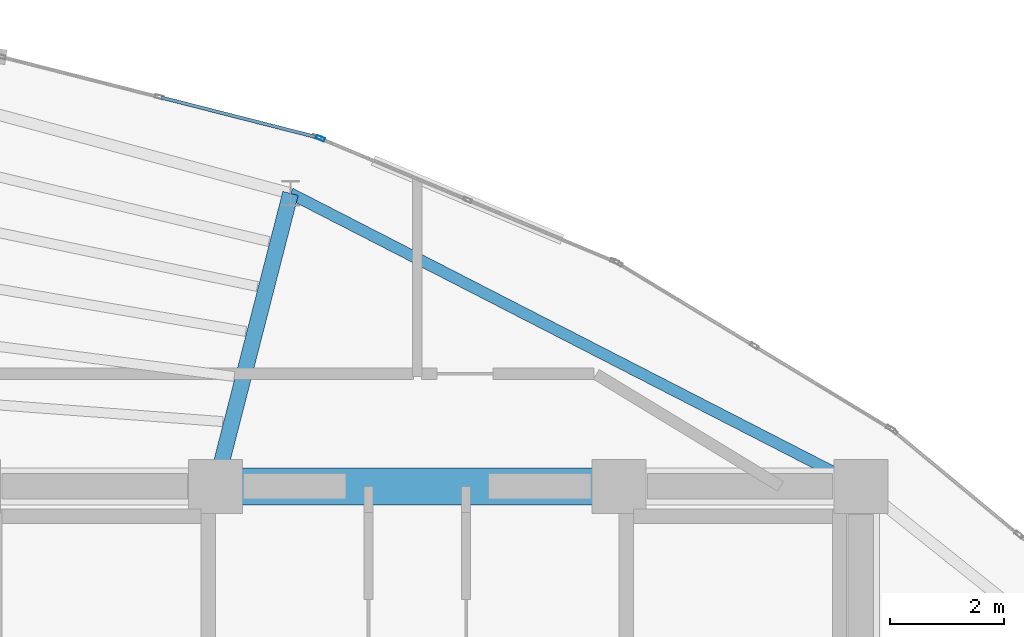
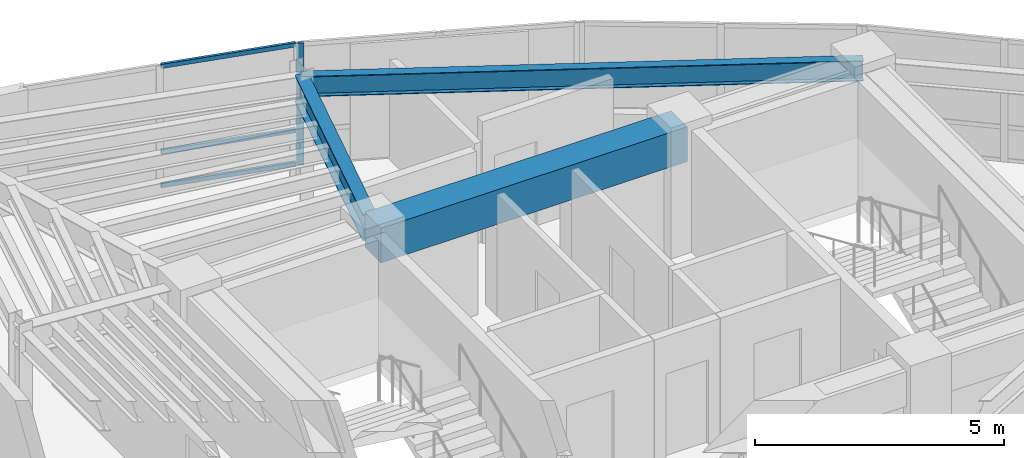
# One storey, part 8 of 14: 4 members, 3 beams, 2 elements without a shape of their own.
"""IFC4 building model written with IfcOpenShell, lengths in metres."""

import ifcopenshell
import ifcopenshell.guid

model = None  # the IFC model being written
_history = None  # IfcOwnerHistory: only IFC2X3 demands one
_inside = {}  # id of a spatial element -> (the spatial element, [elements in it])
_under = {}  # id of a project, library or spatial element -> (it, [spatial elements below it])
_declared = {}  # id of a project -> (the project, [libraries it declares])
_typed = {}  # id of a type object -> (the type object, [elements of that type])
_made_of = {}  # id of a material, layer set ... -> (it, [elements and type objects made of it])


def new_model(schema):
    """Start an empty IFC model of exactly this schema.

    Asked for "IFC4X3", IfcOpenShell would pick the latest addendum, in which some entities
    have other attributes; the version numbers below select the first issue.
    IFC2X3 requires an IfcOwnerHistory on every rooted entity: one is made here for all.
    """
    global model, _history
    if schema == "IFC4X3":
        model = ifcopenshell.file(schema_version=(4, 3, 0, 0))
    else:
        model = ifcopenshell.file(schema=schema)
    _inside.clear()
    _under.clear()
    _declared.clear()
    _typed.clear()
    _made_of.clear()
    _history = None
    if model.schema == "IFC2X3":
        org = make("IfcOrganization", Name="unknown")
        user = make(
            "IfcPersonAndOrganization",
            ThePerson=make("IfcPerson", FamilyName="unknown"),
            TheOrganization=org,
        )
        app = make(
            "IfcApplication",
            ApplicationDeveloper=org,
            Version="unknown",
            ApplicationFullName="unknown",
            ApplicationIdentifier="unknown",
        )
        _history = make(
            "IfcOwnerHistory",
            OwningUser=user,
            OwningApplication=app,
            ChangeAction="ADDED",
            CreationDate=0,
        )
    return model


def make(cls, **values):
    """One entity of the class cls with the attributes given. An attribute that is None is left unset."""
    return model.create_entity(
        cls, **{name: value for name, value in values.items() if value is not None}
    )


def rooted(cls, **values):
    """An entity with a GlobalId (a new one), such as an element, a storey or a relation."""
    return make(cls, GlobalId=ifcopenshell.guid.new(), OwnerHistory=_history, **values)


def si_unit(unit_type, name, prefix=None):
    """IfcSIUnit, for example si_unit("LENGTHUNIT", "METRE", prefix="MILLI")."""
    return make("IfcSIUnit", UnitType=unit_type, Prefix=prefix, Name=name)


def assignment(units):
    """IfcUnitAssignment: the units of a project."""
    return None if units is None else make("IfcUnitAssignment", Units=units)


def point(xyz):
    """IfcCartesianPoint."""
    return None if xyz is None else make("IfcCartesianPoint", Coordinates=xyz)


def direction(xyz):
    """IfcDirection."""
    return None if xyz is None else make("IfcDirection", DirectionRatios=xyz)


def frame(location, z_axis=None, x_axis=None):
    """IfcAxis2Placement3D, a coordinate frame: its origin and axes. An axis left out is left unset."""
    return make(
        "IfcAxis2Placement3D",
        Location=point(location),
        Axis=direction(z_axis),
        RefDirection=direction(x_axis),
    )


def frame_2d(location, x_axis=None):
    """IfcAxis2Placement2D, a coordinate frame in the plane: its origin and x axis."""
    return make(
        "IfcAxis2Placement2D", Location=point(location), RefDirection=direction(x_axis)
    )


def origin():
    """The frame at (0, 0, 0) with its axes left unset."""
    return frame((0.0, 0.0, 0.0))


def origin_2d():
    """The frame at (0, 0) in the plane with its x axis left unset."""
    return frame_2d((0.0, 0.0))


def place(relative_to, where):
    """IfcLocalPlacement: puts the frame where relative to a parent placement (None: the world)."""
    return make(
        "IfcLocalPlacement", PlacementRelTo=relative_to, RelativePlacement=where
    )


def context(
    kind, dimensions, precision=None, world=None, true_north=None, identifier=None
):
    """IfcGeometricRepresentationContext, for example the 3D "Model" context."""
    return make(
        "IfcGeometricRepresentationContext",
        ContextIdentifier=identifier,
        ContextType=kind,
        CoordinateSpaceDimension=dimensions,
        Precision=precision,
        WorldCoordinateSystem=world,
        TrueNorth=true_north,
    )


def subcontext(parent, identifier, kind, view, scale=None):
    """IfcGeometricRepresentationSubContext, for example "Body" below "Model"."""
    return make(
        "IfcGeometricRepresentationSubContext",
        ContextIdentifier=identifier,
        ContextType=kind,
        ParentContext=parent,
        TargetScale=scale,
        TargetView=view,
    )


def project(units=None, contexts=None):
    """IfcProject with its units and contexts."""
    return rooted(
        "IfcProject",
        Name="project",
        RepresentationContexts=contexts,
        UnitsInContext=assignment(units),
    )


def spatial(cls, under=None, at=None, **own):
    """A site, building, storey or space (cls), placed at a placement, below another one or the project."""
    s = rooted(cls, ObjectPlacement=at, **own)
    if under is not None:
        _under.setdefault(under.id(), (under, []))[1].append(s)
    return s


def profile(cls, at=None, kind="AREA", **sizes):
    """A parametric profile (cls). Its sizes go by their IFC names, for example OverallWidth=200.0."""
    return make(cls, ProfileType=kind, Position=at, **sizes)


def rectangle(**sizes):
    """IfcRectangleProfileDef."""
    return profile("IfcRectangleProfileDef", **sizes)


def hollow_rectangle(**sizes):
    """IfcRectangleHollowProfileDef."""
    return profile("IfcRectangleHollowProfileDef", **sizes)


def i_section(**sizes):
    """IfcIShapeProfileDef."""
    return profile("IfcIShapeProfileDef", **sizes)


def extrude(swept, where, along, depth):
    """IfcExtrudedAreaSolid: the profile swept, set in the frame where, extruded along a direction by depth."""
    return make(
        "IfcExtrudedAreaSolid",
        SweptArea=swept,
        Position=where,
        ExtrudedDirection=direction(along),
        Depth=depth,
    )


def shape(context_of_items, identifier, shape_type, items):
    """IfcShapeRepresentation: the items that make up one representation, for example the "Body"."""
    return make(
        "IfcShapeRepresentation",
        ContextOfItems=context_of_items,
        RepresentationIdentifier=identifier,
        RepresentationType=shape_type,
        Items=items,
    )


def material(Name=None, Category=None):
    """IfcMaterial."""
    return make("IfcMaterial", Name=Name, Category=Category)


def layer(
    of_material, thickness, ventilated=None, Name=None, Category=None, Priority=None
):
    """IfcMaterialLayer: one layer of a wall or slab, of a material (None: an air gap)."""
    return make(
        "IfcMaterialLayer",
        Material=of_material,
        LayerThickness=thickness,
        IsVentilated=ventilated,
        Name=Name,
        Category=Category,
        Priority=Priority,
    )


def layer_set(layers, Name=None):
    """IfcMaterialLayerSet."""
    return make("IfcMaterialLayerSet", MaterialLayers=layers, LayerSetName=Name)


def material_profile(
    of_material, cross_section, Name=None, Category=None, Priority=None
):
    """IfcMaterialProfile: a cross section and its material."""
    return make(
        "IfcMaterialProfile",
        Name=Name,
        Material=of_material,
        Profile=cross_section,
        Priority=Priority,
        Category=Category,
    )


def profile_set(profiles, Name=None, composite=None):
    """IfcMaterialProfileSet."""
    return make(
        "IfcMaterialProfileSet",
        Name=Name,
        MaterialProfiles=profiles,
        CompositeProfile=composite,
    )


def made_of(thing, what):
    """Note that an element or type object is made of a material, layer set ...; save() writes the relation."""
    if what is not None:
        _made_of.setdefault(what.id(), (what, []))[1].append(thing)
    return thing


def type_object(cls, material=None, **own):
    """A type object (cls), such as IfcWallType, which elements share."""
    return made_of(rooted(cls, **own), material)


def element(
    cls,
    number,
    at=None,
    inside=None,
    cuts=None,
    type_object=None,
    material=None,
    context=None,
    identifier="Body",
    shape_type=None,
    held_by="IfcProductDefinitionShape",
    body=None,
    shapes=None,
    **own,
):
    """One element of the class cls, such as IfcWall. Its Tag is "e" and its number.

    at: its placement. inside: the storey or other place that contains it. cuts: it is an
    opening in that element (IfcRelVoidsElement). A single representation is given by context,
    identifier, shape_type and body (its items); several are given by shapes. held_by: the class
    of the entity that holds the representations. save() writes the other relations.
    """
    e = rooted(cls, Tag="e%d" % number, ObjectPlacement=at, **own)
    if body is not None:
        shapes = [shape(context, identifier, shape_type, body)]
    if shapes is not None:
        e.Representation = make(held_by, Representations=shapes)
    if inside is not None:
        _inside.setdefault(inside.id(), (inside, []))[1].append(e)
    if cuts is not None:
        rooted(
            "IfcRelVoidsElement", RelatingBuildingElement=cuts, RelatedOpeningElement=e
        )
    if type_object is not None:
        _typed.setdefault(type_object.id(), (type_object, []))[1].append(e)
    return made_of(e, material)


def aggregate(whole, parts):
    """IfcRelAggregates: a whole, such as a stair, and the parts it consists of."""
    return rooted("IfcRelAggregates", RelatingObject=whole, RelatedObjects=parts)


def save(model, path):
    """Write the relations noted so far, then the file.

    IfcRelAggregates (storeys below a building ...), IfcRelContainedInSpatialStructure (elements
    in a storey), IfcRelDefinesByType, IfcRelAssociatesMaterial and IfcRelDeclares: one each for
    every whole, place, type object, material and project.
    """
    for whole, parts in _under.values():
        aggregate(whole, parts)
    for where, things in _inside.values():
        rooted(
            "IfcRelContainedInSpatialStructure",
            RelatedElements=things,
            RelatingStructure=where,
        )
    for kind, things in _typed.values():
        rooted("IfcRelDefinesByType", RelatedObjects=things, RelatingType=kind)
    for what, things in _made_of.values():
        rooted("IfcRelAssociatesMaterial", RelatedObjects=things, RelatingMaterial=what)
    for by, libraries in _declared.values():
        rooted("IfcRelDeclares", RelatingContext=by, RelatedDefinitions=libraries)
    model.write(path)


model = new_model("IFC4")

# Units and contexts
model_context = context("Model", 3, precision=1e-05, world=origin(), true_north=direction((0.0, 1.0)))
body_context = subcontext(model_context, "Body", "Model", "MODEL_VIEW")
ifc_project = project(units=[si_unit("LENGTHUNIT", "METRE"), si_unit("AREAUNIT", "SQUARE_METRE"), si_unit("VOLUMEUNIT", "CUBIC_METRE"), si_unit("PLANEANGLEUNIT", "RADIAN"), si_unit("MASSUNIT", "GRAM", prefix="KILO")], contexts=[model_context])

# Site, building, storey
site_placement = place(None, origin())
site = spatial("IfcSite", under=ifc_project, at=site_placement, CompositionType="ELEMENT")
building_placement = place(site_placement, origin())
building = spatial("IfcBuilding", under=site, at=building_placement, Name="Menara Vayukalpa", CompositionType="ELEMENT")
storey_placement = place(building_placement, frame((0.0, 0.0, 305.6201171875)))
storey = spatial("IfcBuildingStorey", under=building, at=storey_placement, Name="L78", CompositionType="ELEMENT", Elevation=305.6201171875)

# Beams
ifc_material_1 = material(Name="Concrete C60/75", Category="concrete")
ifc_material_profile_1 = material_profile(ifc_material_1, rectangle(XDim=0.64990234375, YDim=0.85009765625, at=origin_2d()), Name="RC 650x850")
ifc_profile_set_1 = profile_set([ifc_material_profile_1], Name="Concrete C60/75")
beam_type_1 = type_object("IfcBeamType", Name="BM-CB1", PredefinedType="BEAM", material=ifc_profile_set_1)
beam_1_placement = place(storey_placement, frame((22.050048828125, 26.800048828125, 2.554931640625), z_axis=(1.0, 0.0, 0.0), x_axis=(0.0, 1.0, 0.0)))
element("IfcBeam", 1, at=beam_1_placement, inside=storey, type_object=beam_type_1, Name="L78 Core Tie Beam CBR5", PredefinedType="BEAM", context=body_context, shape_type="SweptSolid", body=[
    extrude(rectangle(XDim=0.64990234375, YDim=0.85009765625, at=origin_2d()), origin(), (0.0, 0.0, 1.0), 7.099853515625),
])
ifc_material_2 = material(Name="Steel S355", Category="steel")
ifc_material_profile_2 = material_profile(ifc_material_2, i_section(OverallWidth=0.280029296875, OverallDepth=0.64990234375, WebThickness=0.012939453125, FlangeThickness=0.02197265625, at=origin_2d()), Name="WF 650x280x13x22")
ifc_profile_set_2 = profile_set([ifc_material_profile_2], Name="Steel S355")
beam_type_2 = type_object("IfcBeamType", Name="BM-PG6", PredefinedType="BEAM", material=ifc_profile_set_2)
beam_2_placement = place(storey_placement, frame((22.112060546875, 27.042236328125, 2.65478515625), z_axis=(0.248427525231, 0.968650486351, 0.0), x_axis=(-0.968650486351, 0.248427525231, 0.0)))
element("IfcBeam", 2, at=beam_2_placement, inside=storey, type_object=beam_type_2, Name="L78 Primary Radial Girder RG03", PredefinedType="BEAM", context=body_context, shape_type="SweptSolid", body=[
    extrude(i_section(OverallWidth=0.280029296875, OverallDepth=0.64990234375, WebThickness=0.012939453125, FlangeThickness=0.02197265625, at=origin_2d()), origin(), (0.0, 0.0, 1.0), 5.066162109375),
])
ifc_material_3 = material(Name="Steel S355", Category="steel")
ifc_material_profile_3 = material_profile(ifc_material_3, i_section(OverallWidth=0.199951171875, OverallDepth=0.5, WebThickness=0.010009765625, FlangeThickness=0.01611328125, at=origin_2d()), Name="WF 500x200x10x16")
ifc_profile_set_3 = profile_set([ifc_material_profile_3], Name="Steel S355")
beam_type_3 = type_object("IfcBeamType", Name="BM-SP3", PredefinedType="SPANDREL", material=ifc_profile_set_3)
beam_3_placement = place(storey_placement, frame((33.39990234375, 26.800048828125, 2.72998046875), z_axis=(-0.889594604964, 0.456750959297, 0.0), x_axis=(-0.456750959297, -0.889594604964, 0.0)))
element("IfcBeam", 3, at=beam_3_placement, inside=storey, type_object=beam_type_3, Name="L78 Perimeter Spandrel Beam SP02", PredefinedType="SPANDREL", context=body_context, shape_type="SweptSolid", body=[
    extrude(i_section(OverallWidth=0.199951171875, OverallDepth=0.5, WebThickness=0.010009765625, FlangeThickness=0.01611328125, at=origin_2d()), origin(), (0.0, 0.0, 1.0), 11.27392578125),
])

# Curtain wall, member
ifc_material_4 = material(Name="Anodised Terracotta Aluminium Alloy 6063-T6", Category="masonry")
ifc_layer = layer(ifc_material_4, 0.14990234375)
ifc_layer_set = layer_set([ifc_layer], Name="Anodised Terracotta Aluminium Alloy 6063-T6")
curtain_wall_type = type_object("IfcCurtainWallType", Name="CW-CW7", PredefinedType="USERDEFINED", material=ifc_layer_set)
curtain_wall_1_placement = place(storey_placement, origin())
curtain_wall_1 = element("IfcCurtainWall", 4, at=curtain_wall_1_placement, inside=storey, type_object=curtain_wall_type, Name="L78 Crown Drum Screened Curtain Wall CW7 05", ObjectType="UNITISED", PredefinedType="USERDEFINED")
ifc_material_5 = material(Name="Anodised Terracotta Aluminium Alloy 6063-T6", Category="masonry")
ifc_material_profile_4 = material_profile(ifc_material_5, hollow_rectangle(XDim=0.06494140625, YDim=0.14990234375, WallThickness=0.00341796875, at=origin_2d()), Name="ALU 65x150x3.5")
ifc_profile_set_4 = profile_set([ifc_material_profile_4], Name="Anodised Terracotta Aluminium Alloy 6063-T6")
member_type_1 = type_object("IfcMemberType", Name="CWM-CW7", PredefinedType="MULLION", material=ifc_profile_set_4)
member_1_placement = place(storey_placement, frame((23.89990234375, 32.9169921875, 0.0), z_axis=(0.0, 0.0, 1.0), x_axis=(-0.385898361946, -0.922541302191, 0.0)))
member_1 = element("IfcMember", 5, at=member_1_placement, type_object=member_type_1, Name="CW7 mullion 3", PredefinedType="MULLION", context=body_context, shape_type="SweptSolid", body=[
    extrude(hollow_rectangle(XDim=0.06494140625, YDim=0.14990234375, WallThickness=0.00341796875, at=origin_2d()), origin(), (0.0, 0.0, 1.0), 2.97998046875),
])
aggregate(curtain_wall_1, [member_1])

# Curtain wall, members
curtain_wall_2_placement = place(storey_placement, origin())
curtain_wall_2 = element("IfcCurtainWall", 6, at=curtain_wall_2_placement, inside=storey, type_object=curtain_wall_type, Name="L78 Crown Drum Screened Curtain Wall CW7 06", ObjectType="UNITISED", PredefinedType="USERDEFINED")
ifc_material_6 = material(Name="Anodised Terracotta Aluminium Alloy 6063-T6", Category="masonry")
ifc_material_profile_5 = material_profile(ifc_material_6, hollow_rectangle(XDim=0.06005859375, YDim=0.10498046875, WallThickness=0.0029296875, at=origin_2d()), Name="ALU 60x105x3")
ifc_profile_set_5 = profile_set([ifc_material_profile_5], Name="Anodised Terracotta Aluminium Alloy 6063-T6")
member_type_2 = type_object("IfcMemberType", Name="CWT-CW7", PredefinedType="USERDEFINED", material=ifc_profile_set_5)
member_2_placement = place(storey_placement, frame((23.806884765625, 32.945556640625, 0.02978515625), z_axis=(-0.968962149671, 0.247209127066, 0.0), x_axis=(-0.247209127066, -0.968962149671, 0.0)))
member_2 = element("IfcMember", 7, at=member_2_placement, type_object=member_type_2, Name="CW7 transom 1.1", ObjectType="TRANSOM", PredefinedType="USERDEFINED", context=body_context, shape_type="SweptSolid", body=[
    extrude(hollow_rectangle(XDim=0.06005859375, YDim=0.10498046875, WallThickness=0.0029296875, at=origin_2d()), origin(), (0.0, 0.0, 1.0), 2.80078125),
])
member_3_placement = place(storey_placement, frame((23.806884765625, 32.945556640625, 0.849853515625), z_axis=(-0.968962149671, 0.247209127066, 0.0), x_axis=(-0.247209127066, -0.968962149671, 0.0)))
member_3 = element("IfcMember", 8, at=member_3_placement, type_object=member_type_2, Name="CW7 transom 1.2", ObjectType="TRANSOM", PredefinedType="USERDEFINED", context=body_context, shape_type="SweptSolid", body=[
    extrude(hollow_rectangle(XDim=0.06005859375, YDim=0.10498046875, WallThickness=0.0029296875, at=origin_2d()), origin(), (0.0, 0.0, 1.0), 2.80078125),
])
member_4_placement = place(storey_placement, frame((23.806884765625, 32.945556640625, 2.949951171875), z_axis=(-0.968962149671, 0.247209127066, 0.0), x_axis=(-0.247209127066, -0.968962149671, 0.0)))
member_4 = element("IfcMember", 9, at=member_4_placement, type_object=member_type_2, Name="CW7 transom 1.3", ObjectType="TRANSOM", PredefinedType="USERDEFINED", context=body_context, shape_type="SweptSolid", body=[
    extrude(hollow_rectangle(XDim=0.06005859375, YDim=0.10498046875, WallThickness=0.0029296875, at=origin_2d()), origin(), (0.0, 0.0, 1.0), 2.80078125),
])
aggregate(curtain_wall_2, [member_2, member_3, member_4])

save(model, "model.ifc")
